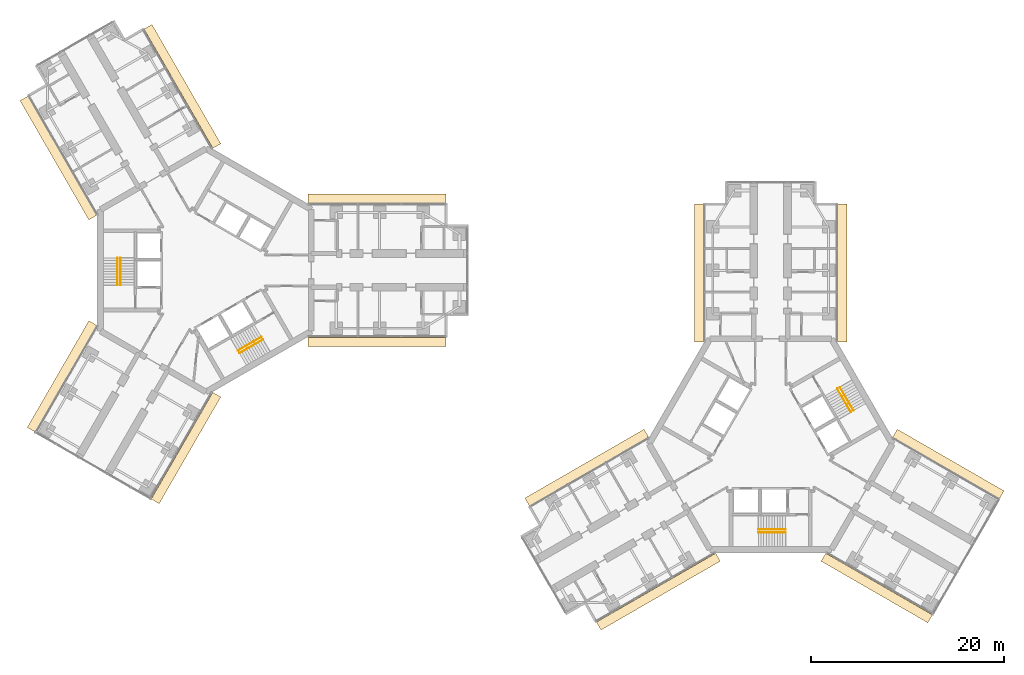
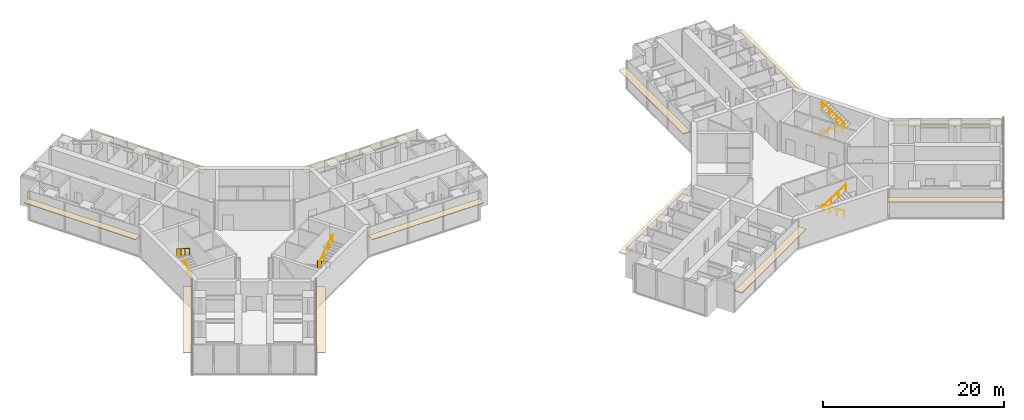
# One storey, part 22 of 22: 12 coverings, 8 railings.
"""IFC4 building model written with IfcOpenShell, lengths in metres."""

from ifc_helpers import new_model, si_unit, direction, frame, origin, origin_2d, place, context, subcontext, project, spatial, rectangle, circle, extrude, material, layer, layer_set, type_object, element, save


model = new_model("IFC4")

# Units and contexts
model_context = context("Model", 3, precision=1e-05, world=origin(), true_north=direction((0.0, 1.0)))
body_context = subcontext(model_context, "Body", "Model", "MODEL_VIEW")
ifc_project = project(units=[si_unit("LENGTHUNIT", "METRE"), si_unit("AREAUNIT", "SQUARE_METRE"), si_unit("VOLUMEUNIT", "CUBIC_METRE"), si_unit("PLANEANGLEUNIT", "RADIAN"), si_unit("MASSUNIT", "GRAM", prefix="KILO")], contexts=[model_context])

# Site, building, storey
site_placement = place(None, origin())
site = spatial("IfcSite", under=ifc_project, at=site_placement, CompositionType="ELEMENT")
building_placement = place(site_placement, origin())
building = spatial("IfcBuilding", under=site, at=building_placement, Name="Upepo Twin Towers", CompositionType="ELEMENT")
storey_placement = place(building_placement, frame((0.0, 0.0, 125.5)))
storey = spatial("IfcBuildingStorey", under=building, at=storey_placement, Name="L30", CompositionType="ELEMENT", Elevation=125.5)

# Coverings
ifc_material_1 = material(Name="Anodised aluminium, pale silver", Category="aluminium")
ifc_layer = layer(ifc_material_1, 0.080078125)
ifc_layer_set = layer_set([ifc_layer], Name="Brise-soleil blade 950 pale aluminium")
covering_type = type_object("IfcCoveringType", Name="Brise-soleil blade 950 pale aluminium", PredefinedType="USERDEFINED", material=ifc_layer_set)
for number, where, z_axis, x_axis, name in (
    (1, (17.718505859375, 7.4150390625, 2.909912109375), (0.0, 0.0, 1.0), (1.0, 0.0, 0.0), "T1 L30 wing A brise-soleil L"),
    (2, (17.718505859375, -7.4150390625, 2.909912109375), (0.0, 0.0, 1.0), (1.0, 0.0, 0.0), "T1 L30 wing A brise-soleil R"),
    (3, (-15.28076171875, 11.63720703125, 2.909912109375), (0.0, 0.0, 1.0), (-0.499999954655, 0.866025429964, 0.0), "T1 L30 wing B brise-soleil L"),
    (4, (-2.437744140625, 19.05224609375, 2.909912109375), (0.0, 0.0, 1.0), (-0.500000015115, 0.866025395058, 0.0), "T1 L30 wing B brise-soleil R"),
):
    element("IfcCovering", number, at=place(storey_placement, frame(where, z_axis=z_axis, x_axis=x_axis)), inside=storey, type_object=covering_type, Name=name, ObjectType="SUNSHADE", PredefinedType="USERDEFINED", context=body_context, shape_type="SweptSolid", body=[
        extrude(rectangle(XDim=14.262939453125, YDim=0.949951171875, at=origin_2d()), origin(), (0.0, 0.0, 1.0), 0.080078125),
    ])
for number, where, z_axis, x_axis, name in (
    (5, (-2.062744140625, -18.402587890625, 2.909912109375), (0.0, 0.0, 1.0), (-0.500000015115, -0.866025395058, 0.0), "T1 L30 wing C brise-soleil L"),
    (6, (-14.90576171875, -10.98779296875, 2.909912109375), (0.0, 0.0, 1.0), (-0.499999954655, -0.866025429964, 0.0), "T1 L30 wing C brise-soleil R"),
):
    element("IfcCovering", number, at=place(storey_placement, frame(where, z_axis=z_axis, x_axis=x_axis)), inside=storey, type_object=covering_type, Name=name, ObjectType="SUNSHADE", PredefinedType="USERDEFINED", context=body_context, shape_type="SweptSolid", body=[
        extrude(rectangle(XDim=12.762939453125, YDim=0.949951171875, at=origin_2d()), origin(), (0.0, 0.0, 1.0), 0.080078125),
    ])
for number, where, z_axis, x_axis, name in (
    (7, (51.0849609375, -0.281494140625, 2.909912109375), (0.0, 0.0, 1.0), (0.0, 1.0, 0.0), "T2 L30 wing A brise-soleil L"),
    (8, (65.9150390625, -0.281494140625, 2.909912109375), (0.0, 0.0, 1.0), (0.0, 1.0, 0.0), "T2 L30 wing A brise-soleil R"),
    (9, (46.86279296875, -33.28076171875, 2.909912109375), (0.0, 0.0, 1.0), (-0.866025429964, -0.499999954655, 0.0), "T2 L30 wing B brise-soleil L"),
    (10, (39.44775390625, -20.437744140625, 2.909912109375), (0.0, 0.0, 1.0), (-0.866025395058, -0.500000015115, 0.0), "T2 L30 wing B brise-soleil R"),
):
    element("IfcCovering", number, at=place(storey_placement, frame(where, z_axis=z_axis, x_axis=x_axis)), inside=storey, type_object=covering_type, Name=name, ObjectType="SUNSHADE", PredefinedType="USERDEFINED", context=body_context, shape_type="SweptSolid", body=[
        extrude(rectangle(XDim=14.262939453125, YDim=0.949951171875, at=origin_2d()), origin(), (0.0, 0.0, 1.0), 0.080078125),
    ])
for number, where, z_axis, x_axis, name in (
    (11, (76.902587890625, -20.062744140625, 2.909912109375), (0.0, 0.0, 1.0), (0.866025395058, -0.500000015115, 0.0), "T2 L30 wing C brise-soleil L"),
    (12, (69.48779296875, -32.90576171875, 2.909912109375), (0.0, 0.0, 1.0), (0.866025429964, -0.499999954655, 0.0), "T2 L30 wing C brise-soleil R"),
):
    element("IfcCovering", number, at=place(storey_placement, frame(where, z_axis=z_axis, x_axis=x_axis)), inside=storey, type_object=covering_type, Name=name, ObjectType="SUNSHADE", PredefinedType="USERDEFINED", context=body_context, shape_type="SweptSolid", body=[
        extrude(rectangle(XDim=12.762939453125, YDim=0.949951171875, at=origin_2d()), origin(), (0.0, 0.0, 1.0), 0.080078125),
    ])

# Railings
ifc_material_2 = material(Name="Stainless steel", Category="steel")
railing_type = type_object("IfcRailingType", Name="Stair handrail 900", PredefinedType="HANDRAIL", material=ifc_material_2)
railing_1_placement = place(storey_placement, frame((-8.85009765625, -1.52001953125, 0.181884765625)))
element("IfcRailing", 13, at=railing_1_placement, inside=storey, type_object=railing_type, Name="T1 stair S1 L30 handrail 1", PredefinedType="HANDRAIL", context=body_context, shape_type="SweptSolid", body=[
    extrude(circle(Radius=0.02392578125, at=origin_2d()), frame((0.0, 0.0, 0.8759765625), z_axis=(0.0, 0.838705829183, 0.544584733623), x_axis=(-1.0, 0.0, 0.0)), (0.0, 0.0, 1.0), 3.338623046875),
    extrude(circle(Radius=0.02099609375, at=origin_2d()), origin(), (0.0, 0.0, 1.0), 0.851806640625),
    extrude(circle(Radius=0.02099609375, at=origin_2d()), frame((0.0, 0.933349609375, 0.60595703125)), (0.0, 0.0, 1.0), 0.851806640625),
    extrude(circle(Radius=0.02099609375, at=origin_2d()), frame((0.0, 1.86669921875, 1.212158203125)), (0.0, 0.0, 1.0), 0.851806640625),
    extrude(circle(Radius=0.02099609375, at=origin_2d()), frame((0.0, 2.800048828125, 1.818115234375)), (0.0, 0.0, 1.0), 0.851806640625),
])
railing_2_placement = place(storey_placement, frame((-9.158447265625, 1.280029296875, 2.181884765625)))
element("IfcRailing", 14, at=railing_2_placement, inside=storey, type_object=railing_type, Name="T1 stair S1 L30 handrail 2", PredefinedType="HANDRAIL", context=body_context, shape_type="SweptSolid", body=[
    extrude(circle(Radius=0.02392578125, at=origin_2d()), frame((0.0, 0.0, 0.8759765625), z_axis=(0.0, -0.838705829183, 0.544584733623), x_axis=(1.0, 0.0, 0.0)), (0.0, 0.0, 1.0), 3.338623046875),
    extrude(circle(Radius=0.02099609375, at=origin_2d()), origin(), (0.0, 0.0, 1.0), 0.851806640625),
    extrude(circle(Radius=0.02099609375, at=origin_2d()), frame((0.0, -0.933349609375, 0.60595703125)), (0.0, 0.0, 1.0), 0.851806640625),
    extrude(circle(Radius=0.02099609375, at=origin_2d()), frame((0.0, -1.86669921875, 1.212158203125)), (0.0, 0.0, 1.0), 0.851806640625),
    extrude(circle(Radius=0.02099609375, at=origin_2d()), frame((0.0, -2.800048828125, 1.818115234375)), (0.0, 0.0, 1.0), 0.851806640625),
])
railing_3_placement = place(storey_placement, frame((5.741455078125, -6.904296875, 0.181884765625)))
element("IfcRailing", 15, at=railing_3_placement, inside=storey, type_object=railing_type, Name="T1 stair S2 L30 handrail 1", PredefinedType="HANDRAIL", context=body_context, shape_type="SweptSolid", body=[
    extrude(circle(Radius=0.02392578125, at=origin_2d()), frame((0.0, 0.0, 0.8759765625), z_axis=(-0.726348578268, -0.419370693282, 0.544560340518), x_axis=(0.500011755427, -0.866018616679, 0.0)), (0.0, 0.0, 1.0), 3.338623046875),
    extrude(circle(Radius=0.02099609375, at=origin_2d()), origin(), (0.0, 0.0, 1.0), 0.851806640625),
    extrude(circle(Radius=0.02099609375, at=origin_2d()), frame((-0.808349609375, -0.466796875, 0.60595703125)), (0.0, 0.0, 1.0), 0.851806640625),
    extrude(circle(Radius=0.02099609375, at=origin_2d()), frame((-1.61669921875, -0.933349609375, 1.212158203125)), (0.0, 0.0, 1.0), 0.851806640625),
    extrude(circle(Radius=0.02099609375, at=origin_2d()), frame((-2.425048828125, -1.400146484375, 1.818115234375)), (0.0, 0.0, 1.0), 0.851806640625),
])
railing_4_placement = place(storey_placement, frame((3.470703125, -8.5712890625, 2.181884765625)))
element("IfcRailing", 16, at=railing_4_placement, inside=storey, type_object=railing_type, Name="T1 stair S2 L30 handrail 2", PredefinedType="HANDRAIL", context=body_context, shape_type="SweptSolid", body=[
    extrude(circle(Radius=0.02392578125, at=origin_2d()), frame((0.0, 0.0, 0.8759765625), z_axis=(0.726336304947, 0.419332699614, 0.544605966869), x_axis=(-0.49998411664, 0.866034573852, 0.0)), (0.0, 0.0, 1.0), 3.33837890625),
    extrude(circle(Radius=0.02099609375, at=origin_2d()), origin(), (0.0, 0.0, 1.0), 0.851806640625),
    extrude(circle(Radius=0.02099609375, at=origin_2d()), frame((0.808349609375, 0.466552734375, 0.60595703125)), (0.0, 0.0, 1.0), 0.851806640625),
    extrude(circle(Radius=0.02099609375, at=origin_2d()), frame((1.616455078125, 0.933349609375, 1.212158203125)), (0.0, 0.0, 1.0), 0.851806640625),
    extrude(circle(Radius=0.02099609375, at=origin_2d()), frame((2.4248046875, 1.39990234375, 1.818115234375)), (0.0, 0.0, 1.0), 0.851806640625),
])
railing_5_placement = place(storey_placement, frame((60.02001953125, -26.85009765625, 0.181884765625)))
element("IfcRailing", 17, at=railing_5_placement, inside=storey, type_object=railing_type, Name="T2 stair S1 L30 handrail 1", PredefinedType="HANDRAIL", context=body_context, shape_type="SweptSolid", body=[
    extrude(circle(Radius=0.02392578125, at=origin_2d()), frame((0.0, 0.0, 0.8759765625), z_axis=(-0.838705829183, 0.0, 0.544584733623), x_axis=(0.0, -1.0, 0.0)), (0.0, 0.0, 1.0), 3.338623046875),
    extrude(circle(Radius=0.02099609375, at=origin_2d()), origin(), (0.0, 0.0, 1.0), 0.851806640625),
    extrude(circle(Radius=0.02099609375, at=origin_2d()), frame((-0.933349609375, 0.0, 0.60595703125)), (0.0, 0.0, 1.0), 0.851806640625),
    extrude(circle(Radius=0.02099609375, at=origin_2d()), frame((-1.86669921875, 0.0, 1.212158203125)), (0.0, 0.0, 1.0), 0.851806640625),
    extrude(circle(Radius=0.02099609375, at=origin_2d()), frame((-2.800048828125, 0.0, 1.818115234375)), (0.0, 0.0, 1.0), 0.851806640625),
])
railing_6_placement = place(storey_placement, frame((57.219970703125, -27.158447265625, 2.181884765625)))
element("IfcRailing", 18, at=railing_6_placement, inside=storey, type_object=railing_type, Name="T2 stair S1 L30 handrail 2", PredefinedType="HANDRAIL", context=body_context, shape_type="SweptSolid", body=[
    extrude(circle(Radius=0.02392578125, at=origin_2d()), frame((0.0, 0.0, 0.8759765625), z_axis=(0.838705829183, 0.0, 0.544584733623), x_axis=(0.0, 1.0, 0.0)), (0.0, 0.0, 1.0), 3.338623046875),
    extrude(circle(Radius=0.02099609375, at=origin_2d()), origin(), (0.0, 0.0, 1.0), 0.851806640625),
    extrude(circle(Radius=0.02099609375, at=origin_2d()), frame((0.933349609375, 0.0, 0.60595703125)), (0.0, 0.0, 1.0), 0.851806640625),
    extrude(circle(Radius=0.02099609375, at=origin_2d()), frame((1.86669921875, 0.0, 1.212158203125)), (0.0, 0.0, 1.0), 0.851806640625),
    extrude(circle(Radius=0.02099609375, at=origin_2d()), frame((2.800048828125, 0.0, 1.818115234375)), (0.0, 0.0, 1.0), 0.851806640625),
])
railing_7_placement = place(storey_placement, frame((65.404296875, -12.258544921875, 0.181884765625)))
element("IfcRailing", 19, at=railing_7_placement, inside=storey, type_object=railing_type, Name="T2 stair S2 L30 handrail 1", PredefinedType="HANDRAIL", context=body_context, shape_type="SweptSolid", body=[
    extrude(circle(Radius=0.02392578125, at=origin_2d()), frame((0.0, 0.0, 0.8759765625), z_axis=(0.419370693282, -0.726348578268, 0.544560340518), x_axis=(0.866018616679, 0.500011755427, 0.0)), (0.0, 0.0, 1.0), 3.338623046875),
    extrude(circle(Radius=0.02099609375, at=origin_2d()), origin(), (0.0, 0.0, 1.0), 0.851806640625),
    extrude(circle(Radius=0.02099609375, at=origin_2d()), frame((0.466796875, -0.808349609375, 0.60595703125)), (0.0, 0.0, 1.0), 0.851806640625),
    extrude(circle(Radius=0.02099609375, at=origin_2d()), frame((0.933349609375, -1.61669921875, 1.212158203125)), (0.0, 0.0, 1.0), 0.851806640625),
    extrude(circle(Radius=0.02099609375, at=origin_2d()), frame((1.400146484375, -2.425048828125, 1.818115234375)), (0.0, 0.0, 1.0), 0.851806640625),
])
railing_8_placement = place(storey_placement, frame((67.0712890625, -14.529296875, 2.181884765625)))
element("IfcRailing", 20, at=railing_8_placement, inside=storey, type_object=railing_type, Name="T2 stair S2 L30 handrail 2", PredefinedType="HANDRAIL", context=body_context, shape_type="SweptSolid", body=[
    extrude(circle(Radius=0.02392578125, at=origin_2d()), frame((0.0, 0.0, 0.8759765625), z_axis=(-0.419332699614, 0.726336304947, 0.544605966869), x_axis=(-0.866034573852, -0.49998411664, 0.0)), (0.0, 0.0, 1.0), 3.33837890625),
    extrude(circle(Radius=0.02099609375, at=origin_2d()), origin(), (0.0, 0.0, 1.0), 0.851806640625),
    extrude(circle(Radius=0.02099609375, at=origin_2d()), frame((-0.466552734375, 0.808349609375, 0.60595703125)), (0.0, 0.0, 1.0), 0.851806640625),
    extrude(circle(Radius=0.02099609375, at=origin_2d()), frame((-0.933349609375, 1.616455078125, 1.212158203125)), (0.0, 0.0, 1.0), 0.851806640625),
    extrude(circle(Radius=0.02099609375, at=origin_2d()), frame((-1.39990234375, 2.4248046875, 1.818115234375)), (0.0, 0.0, 1.0), 0.851806640625),
])

save(model, "model.ifc")
